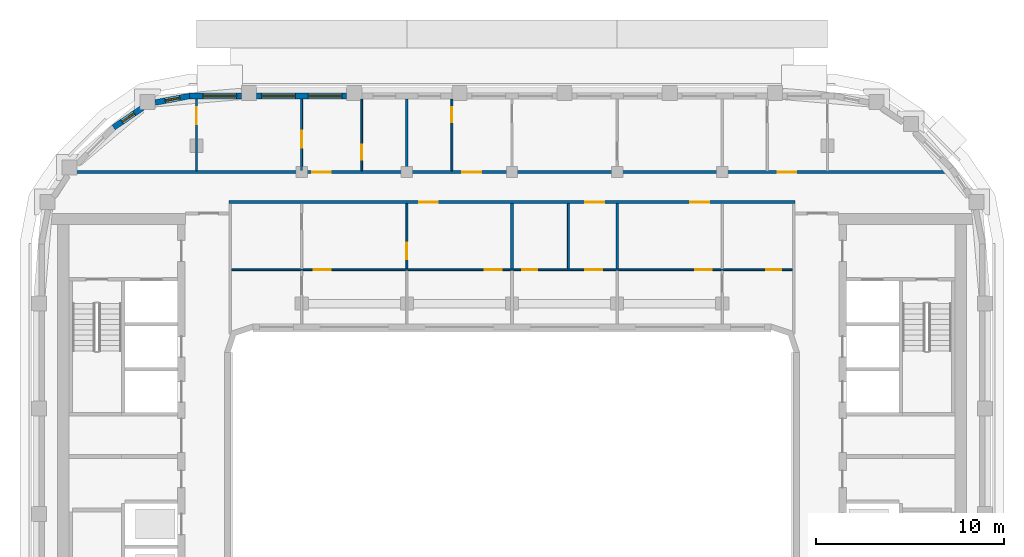
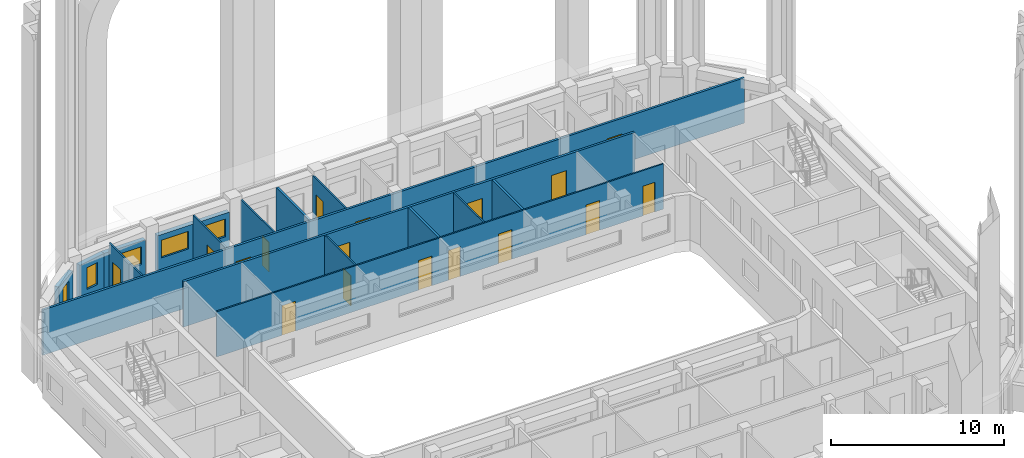
# One storey, part 7 of 19: 17 doors, 16 walls, 5 windows, 22 openings.
"""IFC4 building model written with IfcOpenShell, lengths in metres."""

from ifc_helpers import new_model, si_unit, direction, frame, frame_2d, origin, place, context, subcontext, project, spatial, rectangle, extrude, material, layer, layer_set, type_object, element, fill, save


model = new_model("IFC4")

# Units and contexts
model_context = context("Model", 3, precision=1e-05, world=origin(), true_north=direction((0.0, 1.0)))
body_context = subcontext(model_context, "Body", "Model", "MODEL_VIEW")
ifc_project = project(units=[si_unit("LENGTHUNIT", "METRE"), si_unit("AREAUNIT", "SQUARE_METRE"), si_unit("VOLUMEUNIT", "CUBIC_METRE"), si_unit("PLANEANGLEUNIT", "RADIAN"), si_unit("MASSUNIT", "GRAM", prefix="KILO")], contexts=[model_context])

# Site, building, storey
site_placement = place(None, origin())
site = spatial("IfcSite", under=ifc_project, at=site_placement, CompositionType="ELEMENT")
building_placement = place(site_placement, origin())
building = spatial("IfcBuilding", under=site, at=building_placement, Name="Kiln Ring Residences", CompositionType="ELEMENT")
storey_placement = place(building_placement, frame((0.0, 0.0, 241.699951171875)))
storey = spatial("IfcBuildingStorey", under=building, at=storey_placement, Name="L62", CompositionType="ELEMENT", Elevation=241.699951171875)

# Wall, openings, windows
ifc_material_1 = material(Name="Brick masonry, dark clay brick", Category="masonry")
ifc_layer_1 = layer(ifc_material_1, 0.300048828125)
ifc_layer_set_1 = layer_set([ifc_layer_1], Name="EW-300 BRICK WALL")
wall_type_1 = type_object("IfcWallType", Name="EW-300 BRICK WALL", PredefinedType="SOLIDWALL", material=ifc_layer_set_1)
wall_1_placement = place(storey_placement, frame((-8.800048828125, 19.449951171875, 0.0), z_axis=(0.0, 0.0, 1.0), x_axis=(-1.0, 0.0, 0.0)))
wall_1 = element("IfcWall", 1, at=wall_1_placement, inside=storey, type_object=wall_type_1, Name="Facade wall L62 31", PredefinedType="SOLIDWALL", context=body_context, shape_type="SweptSolid", body=[
    extrude(rectangle(XDim=4.800048828125, YDim=0.300048828125, at=frame_2d((2.39990234375, 0.0))), origin(), (0.0, 0.0, 1.0), 2.550048828125),
])
opening_1_placement = place(wall_1_placement, frame((0.262451171875, 0.0, 0.89990234375)))
opening_1 = element("IfcOpeningElement", 2, at=opening_1_placement, cuts=wall_1, Name="Opening W2", PredefinedType="OPENING", context=body_context, shape_type="SweptSolid", body=[
    extrude(rectangle(XDim=1.800048828125, YDim=1.25, at=frame_2d((0.89990234375, 0.625))), frame((0.0, 0.159912109375, 0.0), z_axis=(0.0, -1.0, 0.0), x_axis=(1.0, 0.0, 0.0)), (0.0, 0.0, 1.0), 0.320068359375),
])
opening_2_placement = place(wall_1_placement, frame((2.737548828125, 0.0, 0.89990234375)))
opening_2 = element("IfcOpeningElement", 3, at=opening_2_placement, cuts=wall_1, Name="Opening W2", PredefinedType="OPENING", context=body_context, shape_type="SweptSolid", body=[
    extrude(rectangle(XDim=1.800048828125, YDim=1.25, at=frame_2d((0.89990234375, 0.625))), frame((0.0, 0.159912109375, 0.0), z_axis=(0.0, -1.0, 0.0), x_axis=(1.0, 0.0, 0.0)), (0.0, 0.0, 1.0), 0.320068359375),
])
ifc_material_2 = material(Name="Aluminium frame with double glazing", Category="aluminium")
window_type_1 = type_object("IfcWindowType", Name="WINDOW 1800 x 1250", PartitioningType="SINGLE_PANEL", PredefinedType="WINDOW", material=ifc_material_2)
window_1_placement = place(opening_1_placement, origin())
window_1 = element("IfcWindow", 4, at=window_1_placement, inside=storey, type_object=window_type_1, Name="Window L62 30", OverallHeight=1.25, OverallWidth=1.800048828125, PartitioningType="SINGLE_PANEL", PredefinedType="WINDOW", context=body_context, shape_type="SweptSolid", body=[
    extrude(rectangle(XDim=1.800048828125, YDim=1.25, at=frame_2d((0.89990234375, 0.625))), frame((0.0, 0.030029296875, 0.0), z_axis=(0.0, -1.0, 0.0), x_axis=(1.0, 0.0, 0.0)), (0.0, 0.0, 1.0), 0.06005859375),
])
fill(opening_1, window_1)
window_2_placement = place(opening_2_placement, origin())
window_2 = element("IfcWindow", 5, at=window_2_placement, inside=storey, type_object=window_type_1, Name="Window L62 31", OverallHeight=1.25, OverallWidth=1.800048828125, PartitioningType="SINGLE_PANEL", PredefinedType="WINDOW", context=body_context, shape_type="SweptSolid", body=[
    extrude(rectangle(XDim=1.800048828125, YDim=1.25, at=frame_2d((0.89990234375, 0.625))), frame((0.0, 0.030029296875, 0.0), z_axis=(0.0, -1.0, 0.0), x_axis=(1.0, 0.0, 0.0)), (0.0, 0.0, 1.0), 0.06005859375),
])
fill(opening_2, window_2)

# Wall, opening, window
wall_2_placement = place(storey_placement, frame((-14.39990234375, 19.449951171875, 0.0), z_axis=(0.0, 0.0, 1.0), x_axis=(-1.0, 0.0, 0.0)))
wall_2 = element("IfcWall", 6, at=wall_2_placement, inside=storey, type_object=wall_type_1, Name="Facade wall L62 32", PredefinedType="SOLIDWALL", context=body_context, shape_type="SweptSolid", body=[
    extrude(rectangle(XDim=2.800048828125, YDim=0.300048828125, at=frame_2d((1.39990234375, 0.0))), origin(), (0.0, 0.0, 1.0), 2.550048828125),
])
opening_3_placement = place(wall_2_placement, frame((0.262451171875, 0.0, 0.89990234375)))
opening_3 = element("IfcOpeningElement", 7, at=opening_3_placement, cuts=wall_2, Name="Opening W2", PredefinedType="OPENING", context=body_context, shape_type="SweptSolid", body=[
    extrude(rectangle(XDim=1.800048828125, YDim=1.25, at=frame_2d((0.89990234375, 0.625))), frame((0.0, 0.159912109375, 0.0), z_axis=(0.0, -1.0, 0.0), x_axis=(1.0, 0.0, 0.0)), (0.0, 0.0, 1.0), 0.320068359375),
])
window_3_placement = place(opening_3_placement, origin())
window_3 = element("IfcWindow", 8, at=window_3_placement, inside=storey, type_object=window_type_1, Name="Window L62 32", OverallHeight=1.25, OverallWidth=1.800048828125, PartitioningType="SINGLE_PANEL", PredefinedType="WINDOW", context=body_context, shape_type="SweptSolid", body=[
    extrude(rectangle(XDim=1.800048828125, YDim=1.25, at=frame_2d((0.89990234375, 0.625))), frame((0.0, 0.030029296875, 0.0), z_axis=(0.0, -1.0, 0.0), x_axis=(1.0, 0.0, 0.0)), (0.0, 0.0, 1.0), 0.06005859375),
])
fill(opening_3, window_3)

wall_3_placement = place(storey_placement, frame((-17.171875, 19.45263671875, 0.0), z_axis=(0.0, 0.0, 1.0), x_axis=(-0.982301706131, -0.187305520826, 0.0)))
wall_3 = element("IfcWall", 9, at=wall_3_placement, inside=storey, type_object=wall_type_1, Name="Facade wall L62 33", PredefinedType="SOLIDWALL", context=body_context, shape_type="SweptSolid", body=[
    extrude(rectangle(XDim=1.856201171875, YDim=0.300048828125, at=frame_2d((0.92822265625, 0.0))), origin(), (0.0, 0.0, 1.0), 2.550048828125),
])
opening_4_placement = place(wall_3_placement, frame((0.528076171875, 0.0, 0.60009765625)))
opening_4 = element("IfcOpeningElement", 10, at=opening_4_placement, cuts=wall_3, Name="Opening W5", PredefinedType="OPENING", context=body_context, shape_type="SweptSolid", body=[
    extrude(rectangle(XDim=0.800048828125, YDim=1.550048828125, at=frame_2d((0.39990234375, 0.77490234375))), frame((0.0, 0.159912109375, 0.0), z_axis=(0.0, -1.0, 0.0), x_axis=(1.0, 0.0, 0.0)), (0.0, 0.0, 1.0), 0.320068359375),
])
ifc_material_3 = material(Name="Aluminium frame with double glazing", Category="aluminium")
window_type_2 = type_object("IfcWindowType", Name="WINDOW 800 x 1550", PartitioningType="SINGLE_PANEL", PredefinedType="WINDOW", material=ifc_material_3)
window_4_placement = place(opening_4_placement, origin())
window_4 = element("IfcWindow", 11, at=window_4_placement, inside=storey, type_object=window_type_2, Name="Window L62 33", OverallHeight=1.550048828125, OverallWidth=0.800048828125, PartitioningType="SINGLE_PANEL", PredefinedType="WINDOW", context=body_context, shape_type="SweptSolid", body=[
    extrude(rectangle(XDim=0.800048828125, YDim=1.550048828125, at=frame_2d((0.39990234375, 0.77490234375))), frame((0.0, 0.030029296875, 0.0), z_axis=(0.0, -1.0, 0.0), x_axis=(1.0, 0.0, 0.0)), (0.0, 0.0, 1.0), 0.06005859375),
])
fill(opening_4, window_4)

wall_4_placement = place(storey_placement, frame((-19.677734375, 18.822265625, 0.0), z_axis=(0.0, 0.0, 1.0), x_axis=(-0.826997446962, -0.562205676526, 0.0)))
wall_4 = element("IfcWall", 12, at=wall_4_placement, inside=storey, type_object=wall_type_1, Name="Facade wall L62 34", PredefinedType="SOLIDWALL", context=body_context, shape_type="SweptSolid", body=[
    extrude(rectangle(XDim=1.85595703125, YDim=0.300048828125, at=frame_2d((0.927978515625, 0.0))), origin(), (0.0, 0.0, 1.0), 2.550048828125),
])
opening_5_placement = place(wall_4_placement, frame((0.528076171875, 0.0, 0.60009765625)))
opening_5 = element("IfcOpeningElement", 13, at=opening_5_placement, cuts=wall_4, Name="Opening W5", PredefinedType="OPENING", context=body_context, shape_type="SweptSolid", body=[
    extrude(rectangle(XDim=0.800048828125, YDim=1.550048828125, at=frame_2d((0.39990234375, 0.77490234375))), frame((0.0, 0.159912109375, 0.0), z_axis=(0.0, -1.0, 0.0), x_axis=(1.0, 0.0, 0.0)), (0.0, 0.0, 1.0), 0.320068359375),
])
window_5_placement = place(opening_5_placement, origin())
window_5 = element("IfcWindow", 14, at=window_5_placement, inside=storey, type_object=window_type_2, Name="Window L62 34", OverallHeight=1.550048828125, OverallWidth=0.800048828125, PartitioningType="SINGLE_PANEL", PredefinedType="WINDOW", context=body_context, shape_type="SweptSolid", body=[
    extrude(rectangle(XDim=0.800048828125, YDim=1.550048828125, at=frame_2d((0.39990234375, 0.77490234375))), frame((0.0, 0.030029296875, 0.0), z_axis=(0.0, -1.0, 0.0), x_axis=(1.0, 0.0, 0.0)), (0.0, 0.0, 1.0), 0.06005859375),
])
fill(opening_5, window_5)

# Wall, openings, doors
ifc_material_4 = material(Name="Gypsum board on steel studs", Category="steel")
ifc_layer_2 = layer(ifc_material_4, 0.10009765625)
ifc_layer_set_2 = layer_set([ifc_layer_2], Name="PARTITION-100")
wall_type_2 = type_object("IfcWallType", Name="PARTITION-100", PredefinedType="PARTITIONING", material=ifc_layer_set_2)
wall_5_placement = place(storey_placement, frame((-14.925048828125, 10.199951171875, 0.0), z_axis=(0.0, 0.0, 1.0), x_axis=(1.0, 0.0, 0.0)))
wall_5 = element("IfcWall", 15, at=wall_5_placement, inside=storey, type_object=wall_type_2, Name="Partition 005", PredefinedType="PARTITIONING", context=body_context, shape_type="SweptSolid", body=[
    extrude(rectangle(XDim=29.85009765625, YDim=0.10009765625, at=frame_2d((14.925048828125, 0.0))), origin(), (0.0, 0.0, 1.0), 3.199951171875),
])
opening_6_placement = place(wall_5_placement, frame((13.47509765625, 0.0, 0.0)))
opening_6 = element("IfcOpeningElement", 16, at=opening_6_placement, cuts=wall_5, Name="Opening L62-D008", PredefinedType="OPENING", context=body_context, shape_type="SweptSolid", body=[
    extrude(rectangle(XDim=0.89990234375, YDim=2.10009765625, at=frame_2d((0.449951171875, 1.050048828125))), frame((0.0, 0.06005859375, 0.0), z_axis=(0.0, -1.0, 0.0), x_axis=(1.0, 0.0, 0.0)), (0.0, 0.0, 1.0), 0.1201171875),
])
opening_7_placement = place(wall_5_placement, frame((4.375, 0.0, 0.0)))
opening_7 = element("IfcOpeningElement", 17, at=opening_7_placement, cuts=wall_5, Name="Opening L62-D009", PredefinedType="OPENING", context=body_context, shape_type="SweptSolid", body=[
    extrude(rectangle(XDim=0.89990234375, YDim=2.10009765625, at=frame_2d((0.449951171875, 1.050048828125))), frame((0.0, 0.06005859375, 0.0), z_axis=(0.0, -1.0, 0.0), x_axis=(1.0, 0.0, 0.0)), (0.0, 0.0, 1.0), 0.1201171875),
])
opening_8_placement = place(wall_5_placement, frame((15.47509765625, 0.0, 0.0)))
opening_8 = element("IfcOpeningElement", 18, at=opening_8_placement, cuts=wall_5, Name="Opening L62-D012", PredefinedType="OPENING", context=body_context, shape_type="SweptSolid", body=[
    extrude(rectangle(XDim=0.800048828125, YDim=2.10009765625, at=frame_2d((0.39990234375, 1.050048828125))), frame((0.0, 0.06005859375, 0.0), z_axis=(0.0, -1.0, 0.0), x_axis=(1.0, 0.0, 0.0)), (0.0, 0.0, 1.0), 0.1201171875),
])
opening_9_placement = place(wall_5_placement, frame((18.824951171875, 0.0, 0.0)))
opening_9 = element("IfcOpeningElement", 19, at=opening_9_placement, cuts=wall_5, Name="Opening L62-D013", PredefinedType="OPENING", context=body_context, shape_type="SweptSolid", body=[
    extrude(rectangle(XDim=0.89990234375, YDim=2.10009765625, at=frame_2d((0.449951171875, 1.050048828125))), frame((0.0, 0.06005859375, 0.0), z_axis=(0.0, -1.0, 0.0), x_axis=(1.0, 0.0, 0.0)), (0.0, 0.0, 1.0), 0.1201171875),
])
opening_10_placement = place(wall_5_placement, frame((28.47412109375, 0.0, 0.0)))
opening_10 = element("IfcOpeningElement", 20, at=opening_10_placement, cuts=wall_5, Name="Opening L62-D015", PredefinedType="OPENING", context=body_context, shape_type="SweptSolid", body=[
    extrude(rectangle(XDim=0.800048828125, YDim=2.10009765625, at=frame_2d((0.39990234375, 1.050048828125))), frame((0.0, 0.06005859375, 0.0), z_axis=(0.0, -1.0, 0.0), x_axis=(1.0, 0.0, 0.0)), (0.0, 0.0, 1.0), 0.1201171875),
])
opening_11_placement = place(wall_5_placement, frame((24.675048828125, 0.0, 0.0)))
opening_11 = element("IfcOpeningElement", 21, at=opening_11_placement, cuts=wall_5, Name="Opening L62-D016", PredefinedType="OPENING", context=body_context, shape_type="SweptSolid", body=[
    extrude(rectangle(XDim=0.89990234375, YDim=2.10009765625, at=frame_2d((0.449951171875, 1.050048828125))), frame((0.0, 0.06005859375, 0.0), z_axis=(0.0, -1.0, 0.0), x_axis=(1.0, 0.0, 0.0)), (0.0, 0.0, 1.0), 0.1201171875),
])
ifc_material_5 = material(Name="Timber door leaf", Category="wood")
door_type_1 = type_object("IfcDoorType", Name="FLAT-DOOR-800-PL", OperationType="SINGLE_SWING_LEFT", PredefinedType="DOOR", material=ifc_material_5)
door_1_placement = place(opening_8_placement, origin())
door_1 = element("IfcDoor", 22, at=door_1_placement, inside=storey, type_object=door_type_1, Name="Door L62-D012", OperationType="SINGLE_SWING_RIGHT", OverallHeight=2.10009765625, OverallWidth=0.800048828125, PredefinedType="DOOR", context=body_context, shape_type="SweptSolid", body=[
    extrude(rectangle(XDim=0.800048828125, YDim=2.10009765625, at=frame_2d((0.39990234375, 1.050048828125))), frame((0.0, 0.02490234375, 0.0), z_axis=(0.0, -1.0, 0.0), x_axis=(1.0, 0.0, 0.0)), (0.0, 0.0, 1.0), 0.050048828125),
])
fill(opening_8, door_1)
door_2_placement = place(opening_10_placement, origin())
door_2 = element("IfcDoor", 23, at=door_2_placement, inside=storey, type_object=door_type_1, Name="Door L62-D015", OperationType="SINGLE_SWING_LEFT", OverallHeight=2.10009765625, OverallWidth=0.800048828125, PredefinedType="DOOR", context=body_context, shape_type="SweptSolid", body=[
    extrude(rectangle(XDim=0.800048828125, YDim=2.10009765625, at=frame_2d((0.39990234375, 1.050048828125))), frame((0.0, 0.02490234375, 0.0), z_axis=(0.0, -1.0, 0.0), x_axis=(1.0, 0.0, 0.0)), (0.0, 0.0, 1.0), 0.050048828125),
])
fill(opening_10, door_2)
ifc_material_6 = material(Name="Timber door leaf", Category="wood")
door_type_2 = type_object("IfcDoorType", Name="FLAT-DOOR-900-PL", OperationType="SINGLE_SWING_LEFT", PredefinedType="DOOR", material=ifc_material_6)
door_3_placement = place(opening_6_placement, origin())
door_3 = element("IfcDoor", 24, at=door_3_placement, inside=storey, type_object=door_type_2, Name="Door L62-D008", OperationType="SINGLE_SWING_RIGHT", OverallHeight=2.10009765625, OverallWidth=0.89990234375, PredefinedType="DOOR", context=body_context, shape_type="SweptSolid", body=[
    extrude(rectangle(XDim=0.89990234375, YDim=2.10009765625, at=frame_2d((0.449951171875, 1.050048828125))), frame((0.0, 0.02490234375, 0.0), z_axis=(0.0, -1.0, 0.0), x_axis=(1.0, 0.0, 0.0)), (0.0, 0.0, 1.0), 0.050048828125),
])
fill(opening_6, door_3)
door_4_placement = place(opening_7_placement, origin())
door_4 = element("IfcDoor", 25, at=door_4_placement, inside=storey, type_object=door_type_2, Name="Door L62-D009", OperationType="SINGLE_SWING_LEFT", OverallHeight=2.10009765625, OverallWidth=0.89990234375, PredefinedType="DOOR", context=body_context, shape_type="SweptSolid", body=[
    extrude(rectangle(XDim=0.89990234375, YDim=2.10009765625, at=frame_2d((0.449951171875, 1.050048828125))), frame((0.0, 0.02490234375, 0.0), z_axis=(0.0, -1.0, 0.0), x_axis=(1.0, 0.0, 0.0)), (0.0, 0.0, 1.0), 0.050048828125),
])
fill(opening_7, door_4)
door_5_placement = place(opening_9_placement, origin())
door_5 = element("IfcDoor", 26, at=door_5_placement, inside=storey, type_object=door_type_2, Name="Door L62-D013", OperationType="SINGLE_SWING_LEFT", OverallHeight=2.10009765625, OverallWidth=0.89990234375, PredefinedType="DOOR", context=body_context, shape_type="SweptSolid", body=[
    extrude(rectangle(XDim=0.89990234375, YDim=2.10009765625, at=frame_2d((0.449951171875, 1.050048828125))), frame((0.0, 0.02490234375, 0.0), z_axis=(0.0, -1.0, 0.0), x_axis=(1.0, 0.0, 0.0)), (0.0, 0.0, 1.0), 0.050048828125),
])
fill(opening_9, door_5)
door_6_placement = place(opening_11_placement, origin())
door_6 = element("IfcDoor", 27, at=door_6_placement, inside=storey, type_object=door_type_2, Name="Door L62-D016", OperationType="SINGLE_SWING_RIGHT", OverallHeight=2.10009765625, OverallWidth=0.89990234375, PredefinedType="DOOR", context=body_context, shape_type="SweptSolid", body=[
    extrude(rectangle(XDim=0.89990234375, YDim=2.10009765625, at=frame_2d((0.449951171875, 1.050048828125))), frame((0.0, 0.02490234375, 0.0), z_axis=(0.0, -1.0, 0.0), x_axis=(1.0, 0.0, 0.0)), (0.0, 0.0, 1.0), 0.050048828125),
])
fill(opening_11, door_6)

# Wall, opening, door
wall_6_placement = place(storey_placement, frame((-16.800048828125, 15.47509765625, 0.0), z_axis=(0.0, 0.0, 1.0), x_axis=(0.0, 1.0, 0.0)))
wall_6 = element("IfcWall", 28, at=wall_6_placement, inside=storey, type_object=wall_type_2, Name="Partition 011", PredefinedType="PARTITIONING", context=body_context, shape_type="SweptSolid", body=[
    extrude(rectangle(XDim=3.804931640625, YDim=0.10009765625, at=frame_2d((1.90234375, 0.0))), origin(), (0.0, 0.0, 1.0), 3.199951171875),
])
opening_12_placement = place(wall_6_placement, frame((2.485107421875, 0.0, 0.0)))
opening_12 = element("IfcOpeningElement", 29, at=opening_12_placement, cuts=wall_6, Name="Opening L62-D021", PredefinedType="OPENING", context=body_context, shape_type="SweptSolid", body=[
    extrude(rectangle(XDim=0.89990234375, YDim=2.10009765625, at=frame_2d((0.449951171875, 1.050048828125))), frame((0.0, 0.06005859375, 0.0), z_axis=(0.0, -1.0, 0.0), x_axis=(1.0, 0.0, 0.0)), (0.0, 0.0, 1.0), 0.1201171875),
])
door_7_placement = place(opening_12_placement, origin())
door_7 = element("IfcDoor", 30, at=door_7_placement, inside=storey, type_object=door_type_2, Name="Door L62-D021", OperationType="SINGLE_SWING_LEFT", OverallHeight=2.10009765625, OverallWidth=0.89990234375, PredefinedType="DOOR", context=body_context, shape_type="SweptSolid", body=[
    extrude(rectangle(XDim=0.89990234375, YDim=2.10009765625, at=frame_2d((0.449951171875, 1.050048828125))), frame((0.0, 0.02490234375, 0.0), z_axis=(0.0, -1.0, 0.0), x_axis=(1.0, 0.0, 0.0)), (0.0, 0.0, 1.0), 0.050048828125),
])
fill(opening_12, door_7)

wall_7_placement = place(storey_placement, frame((-11.199951171875, 15.47509765625, 0.0), z_axis=(0.0, 0.0, 1.0), x_axis=(0.0, 1.0, 0.0)))
wall_7 = element("IfcWall", 31, at=wall_7_placement, inside=storey, type_object=wall_type_2, Name="Partition 019", PredefinedType="PARTITIONING", context=body_context, shape_type="SweptSolid", body=[
    extrude(rectangle(XDim=3.804931640625, YDim=0.10009765625, at=frame_2d((1.90234375, 0.0))), origin(), (0.0, 0.0, 1.0), 3.199951171875),
])
opening_13_placement = place(wall_7_placement, frame((1.235107421875, 0.0, 0.0)))
opening_13 = element("IfcOpeningElement", 32, at=opening_13_placement, cuts=wall_7, Name="Opening L62-D020", PredefinedType="OPENING", context=body_context, shape_type="SweptSolid", body=[
    extrude(rectangle(XDim=0.89990234375, YDim=2.10009765625, at=frame_2d((0.449951171875, 1.050048828125))), frame((0.0, 0.06005859375, 0.0), z_axis=(0.0, -1.0, 0.0), x_axis=(1.0, 0.0, 0.0)), (0.0, 0.0, 1.0), 0.1201171875),
])
door_8_placement = place(opening_13_placement, origin())
door_8 = element("IfcDoor", 33, at=door_8_placement, inside=storey, type_object=door_type_2, Name="Door L62-D020", OperationType="SINGLE_SWING_RIGHT", OverallHeight=2.10009765625, OverallWidth=0.89990234375, PredefinedType="DOOR", context=body_context, shape_type="SweptSolid", body=[
    extrude(rectangle(XDim=0.89990234375, YDim=2.10009765625, at=frame_2d((0.449951171875, 1.050048828125))), frame((0.0, 0.02490234375, 0.0), z_axis=(0.0, -1.0, 0.0), x_axis=(1.0, 0.0, 0.0)), (0.0, 0.0, 1.0), 0.050048828125),
])
fill(opening_13, door_8)

wall_8_placement = place(storey_placement, frame((-8.0, 15.47509765625, 0.0), z_axis=(0.0, 0.0, 1.0), x_axis=(0.0, 1.0, 0.0)))
wall_8 = element("IfcWall", 34, at=wall_8_placement, inside=storey, type_object=wall_type_2, Name="Partition 022", PredefinedType="PARTITIONING", context=body_context, shape_type="SweptSolid", body=[
    extrude(rectangle(XDim=3.804931640625, YDim=0.10009765625, at=frame_2d((1.90234375, 0.0))), origin(), (0.0, 0.0, 1.0), 3.199951171875),
])
opening_14_placement = place(wall_8_placement, frame((0.575927734375, 0.0, 0.0)))
opening_14 = element("IfcOpeningElement", 35, at=opening_14_placement, cuts=wall_8, Name="Opening L62-D019", PredefinedType="OPENING", context=body_context, shape_type="SweptSolid", body=[
    extrude(rectangle(XDim=0.800048828125, YDim=2.10009765625, at=frame_2d((0.39990234375, 1.050048828125))), frame((0.0, 0.06005859375, 0.0), z_axis=(0.0, -1.0, 0.0), x_axis=(1.0, 0.0, 0.0)), (0.0, 0.0, 1.0), 0.1201171875),
])
door_9_placement = place(opening_14_placement, origin())
door_9 = element("IfcDoor", 36, at=door_9_placement, inside=storey, type_object=door_type_1, Name="Door L62-D019", OperationType="SINGLE_SWING_LEFT", OverallHeight=2.10009765625, OverallWidth=0.800048828125, PredefinedType="DOOR", context=body_context, shape_type="SweptSolid", body=[
    extrude(rectangle(XDim=0.800048828125, YDim=2.10009765625, at=frame_2d((0.39990234375, 1.050048828125))), frame((0.0, 0.02490234375, 0.0), z_axis=(0.0, -1.0, 0.0), x_axis=(1.0, 0.0, 0.0)), (0.0, 0.0, 1.0), 0.050048828125),
])
fill(opening_14, door_9)

wall_9_placement = place(storey_placement, frame((-5.60009765625, 10.25, 0.0), z_axis=(0.0, 0.0, 1.0), x_axis=(0.0, 1.0, 0.0)))
wall_9 = element("IfcWall", 37, at=wall_9_placement, inside=storey, type_object=wall_type_2, Name="Partition 025", PredefinedType="PARTITIONING", context=body_context, shape_type="SweptSolid", body=[
    extrude(rectangle(XDim=3.47509765625, YDim=0.10009765625, at=frame_2d((1.737548828125, 0.0))), origin(), (0.0, 0.0, 1.0), 3.199951171875),
])
opening_15_placement = place(wall_9_placement, frame((0.4990234375, 0.0, 0.0)))
opening_15 = element("IfcOpeningElement", 38, at=opening_15_placement, cuts=wall_9, Name="Opening L62-D006", PredefinedType="OPENING", context=body_context, shape_type="SweptSolid", body=[
    extrude(rectangle(XDim=0.89990234375, YDim=2.10009765625, at=frame_2d((0.449951171875, 1.050048828125))), frame((0.0, 0.06005859375, 0.0), z_axis=(0.0, -1.0, 0.0), x_axis=(1.0, 0.0, 0.0)), (0.0, 0.0, 1.0), 0.1201171875),
])
door_10_placement = place(opening_15_placement, origin())
door_10 = element("IfcDoor", 39, at=door_10_placement, inside=storey, type_object=door_type_2, Name="Door L62-D006", OperationType="SINGLE_SWING_RIGHT", OverallHeight=2.10009765625, OverallWidth=0.89990234375, PredefinedType="DOOR", context=body_context, shape_type="SweptSolid", body=[
    extrude(rectangle(XDim=0.89990234375, YDim=2.10009765625, at=frame_2d((0.449951171875, 1.050048828125))), frame((0.0, 0.02490234375, 0.0), z_axis=(0.0, -1.0, 0.0), x_axis=(1.0, 0.0, 0.0)), (0.0, 0.0, 1.0), 0.050048828125),
])
fill(opening_15, door_10)

wall_10_placement = place(storey_placement, frame((-3.199951171875, 15.47509765625, 0.0), z_axis=(0.0, 0.0, 1.0), x_axis=(0.0, 1.0, 0.0)))
wall_10 = element("IfcWall", 40, at=wall_10_placement, inside=storey, type_object=wall_type_2, Name="Partition 029", PredefinedType="PARTITIONING", context=body_context, shape_type="SweptSolid", body=[
    extrude(rectangle(XDim=3.804931640625, YDim=0.10009765625, at=frame_2d((1.90234375, 0.0))), origin(), (0.0, 0.0, 1.0), 3.199951171875),
])
opening_16_placement = place(wall_10_placement, frame((2.5849609375, 0.0, 0.0)))
opening_16 = element("IfcOpeningElement", 41, at=opening_16_placement, cuts=wall_10, Name="Opening L62-D023", PredefinedType="OPENING", context=body_context, shape_type="SweptSolid", body=[
    extrude(rectangle(XDim=0.800048828125, YDim=2.10009765625, at=frame_2d((0.39990234375, 1.050048828125))), frame((0.0, 0.06005859375, 0.0), z_axis=(0.0, -1.0, 0.0), x_axis=(1.0, 0.0, 0.0)), (0.0, 0.0, 1.0), 0.1201171875),
])
door_11_placement = place(opening_16_placement, origin())
door_11 = element("IfcDoor", 42, at=door_11_placement, inside=storey, type_object=door_type_1, Name="Door L62-D023", OperationType="SINGLE_SWING_LEFT", OverallHeight=2.10009765625, OverallWidth=0.800048828125, PredefinedType="DOOR", context=body_context, shape_type="SweptSolid", body=[
    extrude(rectangle(XDim=0.800048828125, YDim=2.10009765625, at=frame_2d((0.39990234375, 1.050048828125))), frame((0.0, 0.02490234375, 0.0), z_axis=(0.0, -1.0, 0.0), x_axis=(1.0, 0.0, 0.0)), (0.0, 0.0, 1.0), 0.050048828125),
])
fill(opening_16, door_11)

# Wall
wall_11_placement = place(storey_placement, frame((3.0, 10.25, 0.0), z_axis=(0.0, 0.0, 1.0), x_axis=(0.0, 1.0, 0.0)))
element("IfcWall", 43, at=wall_11_placement, inside=storey, type_object=wall_type_2, Name="Partition 037", PredefinedType="PARTITIONING", context=body_context, shape_type="SweptSolid", body=[
    extrude(rectangle(XDim=3.47509765625, YDim=0.10009765625, at=frame_2d((1.737548828125, 0.0))), origin(), (0.0, 0.0, 1.0), 3.199951171875),
])

# Wall, openings, doors
ifc_material_7 = material(Name="Brick masonry partition", Category="masonry")
ifc_layer_3 = layer(ifc_material_7, 0.14990234375)
ifc_layer_set_3 = layer_set([ifc_layer_3], Name="PARTITION-150-ei60")
wall_type_3 = type_object("IfcWallType", Name="PARTITION-150-ei60", PredefinedType="PARTITIONING", material=ifc_layer_set_3)
wall_12_placement = place(storey_placement, frame((-15.074951171875, 13.800048828125, 0.0), z_axis=(0.0, 0.0, 1.0), x_axis=(1.0, 0.0, 0.0)))
wall_12 = element("IfcWall", 44, at=wall_12_placement, inside=storey, type_object=wall_type_3, Name="Partition 008", PredefinedType="PARTITIONING", context=body_context, shape_type="SweptSolid", body=[
    extrude(rectangle(XDim=30.14990234375, YDim=0.14990234375, at=frame_2d((15.074951171875, 0.0))), origin(), (0.0, 0.0, 1.0), 3.199951171875),
])
opening_17_placement = place(wall_12_placement, frame((10.125, 0.0, 0.0)))
opening_17 = element("IfcOpeningElement", 45, at=opening_17_placement, cuts=wall_12, Name="Opening L62-D005", PredefinedType="OPENING", context=body_context, shape_type="SweptSolid", body=[
    extrude(rectangle(XDim=1.0, YDim=2.10009765625, at=frame_2d((0.5, 1.050048828125))), frame((0.0, 0.0849609375, 0.0), z_axis=(0.0, -1.0, 0.0), x_axis=(1.0, 0.0, 0.0)), (0.0, 0.0, 1.0), 0.169921875),
])
opening_18_placement = place(wall_12_placement, frame((18.97509765625, 0.0, 0.0)))
opening_18 = element("IfcOpeningElement", 46, at=opening_18_placement, cuts=wall_12, Name="Opening L62-D011", PredefinedType="OPENING", context=body_context, shape_type="SweptSolid", body=[
    extrude(rectangle(XDim=1.0, YDim=2.10009765625, at=frame_2d((0.5, 1.050048828125))), frame((0.0, 0.0849609375, 0.0), z_axis=(0.0, -1.0, 0.0), x_axis=(1.0, 0.0, 0.0)), (0.0, 0.0, 1.0), 0.169921875),
])
opening_19_placement = place(wall_12_placement, frame((24.574951171875, 0.0, 0.0)))
opening_19 = element("IfcOpeningElement", 47, at=opening_19_placement, cuts=wall_12, Name="Opening L62-D014", PredefinedType="OPENING", context=body_context, shape_type="SweptSolid", body=[
    extrude(rectangle(XDim=1.0, YDim=2.10009765625, at=frame_2d((0.5, 1.050048828125))), frame((0.0, 0.0849609375, 0.0), z_axis=(0.0, -1.0, 0.0), x_axis=(1.0, 0.0, 0.0)), (0.0, 0.0, 1.0), 0.169921875),
])
ifc_material_8 = material(Name="Steel faced fire door leaf", Category="steel")
door_type_3 = type_object("IfcDoorType", Name="FLAT-DOOR-1000-FR", OperationType="SINGLE_SWING_LEFT", PredefinedType="DOOR", material=ifc_material_8)
door_12_placement = place(opening_17_placement, origin())
door_12 = element("IfcDoor", 48, at=door_12_placement, inside=storey, type_object=door_type_3, Name="Door L62-D005", OperationType="SINGLE_SWING_LEFT", OverallHeight=2.10009765625, OverallWidth=1.0, PredefinedType="DOOR", context=body_context, shape_type="SweptSolid", body=[
    extrude(rectangle(XDim=1.0, YDim=2.10009765625, at=frame_2d((0.5, 1.050048828125))), frame((0.0, 0.02490234375, 0.0), z_axis=(0.0, -1.0, 0.0), x_axis=(1.0, 0.0, 0.0)), (0.0, 0.0, 1.0), 0.050048828125),
])
fill(opening_17, door_12)
door_13_placement = place(opening_18_placement, origin())
door_13 = element("IfcDoor", 49, at=door_13_placement, inside=storey, type_object=door_type_3, Name="Door L62-D011", OperationType="SINGLE_SWING_LEFT", OverallHeight=2.10009765625, OverallWidth=1.0, PredefinedType="DOOR", context=body_context, shape_type="SweptSolid", body=[
    extrude(rectangle(XDim=1.0, YDim=2.10009765625, at=frame_2d((0.5, 1.050048828125))), frame((0.0, 0.02490234375, 0.0), z_axis=(0.0, -1.0, 0.0), x_axis=(1.0, 0.0, 0.0)), (0.0, 0.0, 1.0), 0.050048828125),
])
fill(opening_18, door_13)
door_14_placement = place(opening_19_placement, origin())
door_14 = element("IfcDoor", 50, at=door_14_placement, inside=storey, type_object=door_type_3, Name="Door L62-D014", OperationType="SINGLE_SWING_RIGHT", OverallHeight=2.10009765625, OverallWidth=1.0, PredefinedType="DOOR", context=body_context, shape_type="SweptSolid", body=[
    extrude(rectangle(XDim=1.0, YDim=2.10009765625, at=frame_2d((0.5, 1.050048828125))), frame((0.0, 0.02490234375, 0.0), z_axis=(0.0, -1.0, 0.0), x_axis=(1.0, 0.0, 0.0)), (0.0, 0.0, 1.0), 0.050048828125),
])
fill(opening_19, door_14)

wall_13_placement = place(storey_placement, frame((-23.550048828125, 15.39990234375, 0.0), z_axis=(0.0, 0.0, 1.0), x_axis=(1.0, 0.0, 0.0)))
wall_13 = element("IfcWall", 51, at=wall_13_placement, inside=storey, type_object=wall_type_3, Name="Partition 009", PredefinedType="PARTITIONING", context=body_context, shape_type="SweptSolid", body=[
    extrude(rectangle(XDim=46.8720703125, YDim=0.14990234375, at=frame_2d((23.43603515625, 0.0))), origin(), (0.0, 0.0, 1.0), 3.199951171875),
])
opening_20_placement = place(wall_13_placement, frame((12.89990234375, 0.0, 0.0)))
opening_20 = element("IfcOpeningElement", 52, at=opening_20_placement, cuts=wall_13, Name="Opening L62-D018", PredefinedType="OPENING", context=body_context, shape_type="SweptSolid", body=[
    extrude(rectangle(XDim=1.0, YDim=2.10009765625, at=frame_2d((0.5, 1.050048828125))), frame((0.0, 0.0849609375, 0.0), z_axis=(0.0, -1.0, 0.0), x_axis=(1.0, 0.0, 0.0)), (0.0, 0.0, 1.0), 0.169921875),
])
opening_21_placement = place(wall_13_placement, frame((20.89990234375, 0.0, 0.0)))
opening_21 = element("IfcOpeningElement", 53, at=opening_21_placement, cuts=wall_13, Name="Opening L62-D022", PredefinedType="OPENING", context=body_context, shape_type="SweptSolid", body=[
    extrude(rectangle(XDim=1.0, YDim=2.10009765625, at=frame_2d((0.5, 1.050048828125))), frame((0.0, 0.0849609375, 0.0), z_axis=(0.0, -1.0, 0.0), x_axis=(1.0, 0.0, 0.0)), (0.0, 0.0, 1.0), 0.169921875),
])
opening_22_placement = place(wall_13_placement, frame((37.699951171875, 0.0, 0.0)))
opening_22 = element("IfcOpeningElement", 54, at=opening_22_placement, cuts=wall_13, Name="Opening L62-D026", PredefinedType="OPENING", context=body_context, shape_type="SweptSolid", body=[
    extrude(rectangle(XDim=1.0, YDim=2.10009765625, at=frame_2d((0.5, 1.050048828125))), frame((0.0, 0.0849609375, 0.0), z_axis=(0.0, -1.0, 0.0), x_axis=(1.0, 0.0, 0.0)), (0.0, 0.0, 1.0), 0.169921875),
])
door_15_placement = place(opening_20_placement, origin())
door_15 = element("IfcDoor", 55, at=door_15_placement, inside=storey, type_object=door_type_3, Name="Door L62-D018", OperationType="SINGLE_SWING_RIGHT", OverallHeight=2.10009765625, OverallWidth=1.0, PredefinedType="DOOR", context=body_context, shape_type="SweptSolid", body=[
    extrude(rectangle(XDim=1.0, YDim=2.10009765625, at=frame_2d((0.5, 1.050048828125))), frame((0.0, 0.02490234375, 0.0), z_axis=(0.0, -1.0, 0.0), x_axis=(1.0, 0.0, 0.0)), (0.0, 0.0, 1.0), 0.050048828125),
])
fill(opening_20, door_15)
door_16_placement = place(opening_21_placement, origin())
door_16 = element("IfcDoor", 56, at=door_16_placement, inside=storey, type_object=door_type_3, Name="Door L62-D022", OperationType="SINGLE_SWING_RIGHT", OverallHeight=2.10009765625, OverallWidth=1.0, PredefinedType="DOOR", context=body_context, shape_type="SweptSolid", body=[
    extrude(rectangle(XDim=1.0, YDim=2.10009765625, at=frame_2d((0.5, 1.050048828125))), frame((0.0, 0.02490234375, 0.0), z_axis=(0.0, -1.0, 0.0), x_axis=(1.0, 0.0, 0.0)), (0.0, 0.0, 1.0), 0.050048828125),
])
fill(opening_21, door_16)
door_17_placement = place(opening_22_placement, origin())
door_17 = element("IfcDoor", 57, at=door_17_placement, inside=storey, type_object=door_type_3, Name="Door L62-D026", OperationType="SINGLE_SWING_RIGHT", OverallHeight=2.10009765625, OverallWidth=1.0, PredefinedType="DOOR", context=body_context, shape_type="SweptSolid", body=[
    extrude(rectangle(XDim=1.0, YDim=2.10009765625, at=frame_2d((0.5, 1.050048828125))), frame((0.0, 0.02490234375, 0.0), z_axis=(0.0, -1.0, 0.0), x_axis=(1.0, 0.0, 0.0)), (0.0, 0.0, 1.0), 0.050048828125),
])
fill(opening_22, door_17)

# Walls
wall_14_placement = place(storey_placement, frame((-5.60009765625, 15.47509765625, 0.0), z_axis=(0.0, 0.0, 1.0), x_axis=(0.0, 1.0, 0.0)))
element("IfcWall", 58, at=wall_14_placement, inside=storey, type_object=wall_type_3, Name="Partition 028", PredefinedType="PARTITIONING", context=body_context, shape_type="SweptSolid", body=[
    extrude(rectangle(XDim=3.804931640625, YDim=0.14990234375, at=frame_2d((1.90234375, 0.0))), origin(), (0.0, 0.0, 1.0), 3.199951171875),
])
for number, where, z_axis, x_axis, name in (
    (59, (0.0, 10.25, 0.0), (0.0, 0.0, 1.0), (0.0, 1.0, 0.0), "Partition 035"),
    (60, (5.60009765625, 10.25, 0.0), (0.0, 0.0, 1.0), (0.0, 1.0, 0.0), "Partition 043"),
):
    element("IfcWall", number, at=place(storey_placement, frame(where, z_axis=z_axis, x_axis=x_axis)), inside=storey, type_object=wall_type_3, Name=name, PredefinedType="PARTITIONING", context=body_context, shape_type="SweptSolid", body=[
        extrude(rectangle(XDim=3.47509765625, YDim=0.14990234375, at=frame_2d((1.737548828125, 0.0))), origin(), (0.0, 0.0, 1.0), 3.199951171875),
    ])

save(model, "model.ifc")
